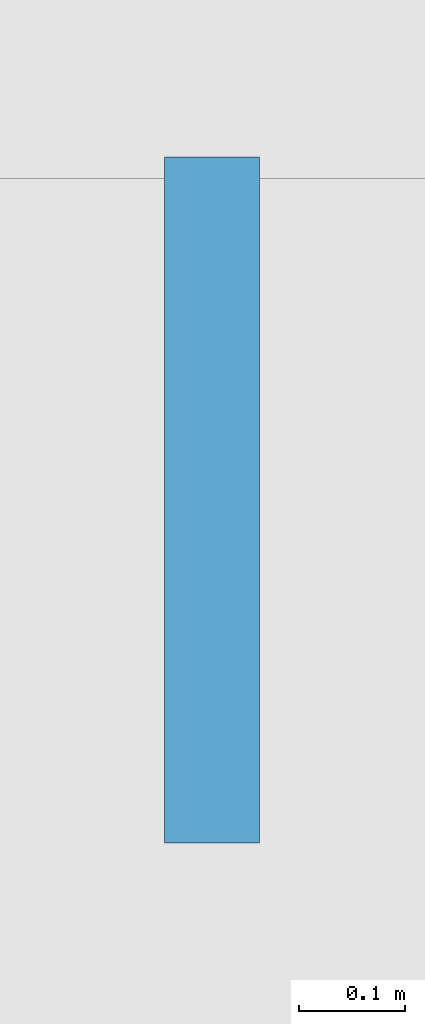
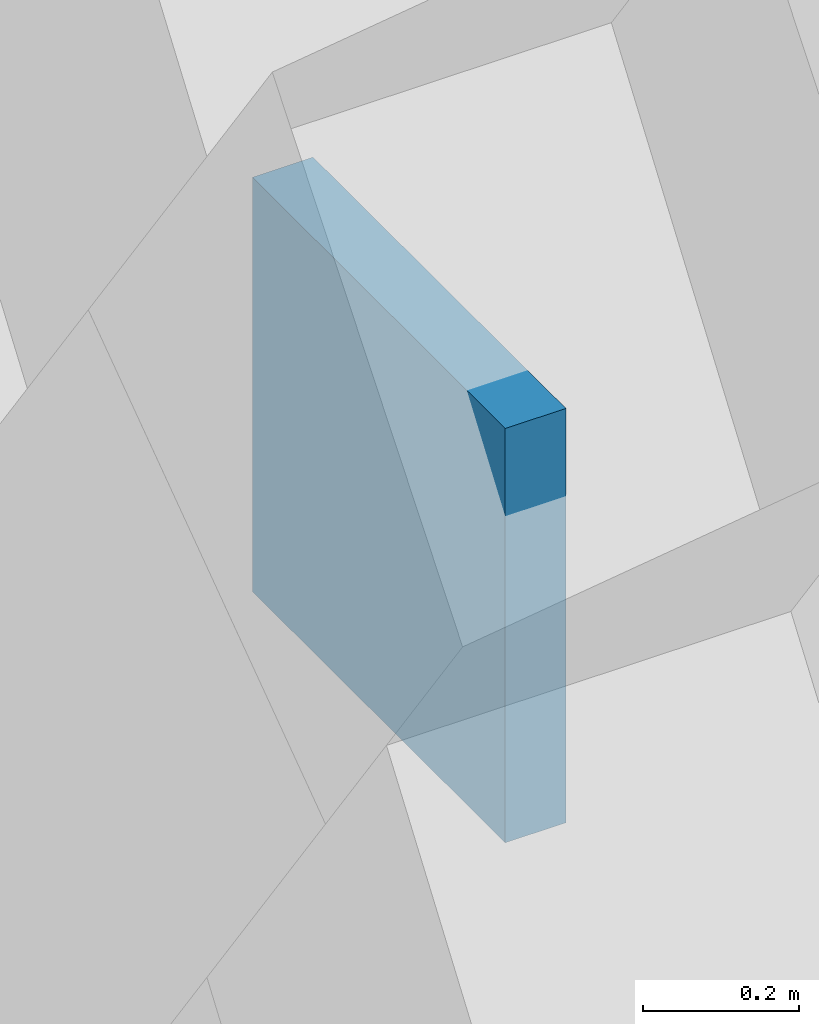
# One storey, part 55 of 79: 1 plate.
"""IFC4 building model written with IfcOpenShell, lengths in metres."""

from ifc_helpers import new_model, si_unit, direction, frame, origin, origin_2d, place, context, subcontext, project, spatial, rectangle, extrude, material, layer, layer_set, type_object, element, save


model = new_model("IFC4")

# Units and contexts
model_context = context("Model", 3, precision=1e-05, world=origin(), true_north=direction((0.0, 1.0)))
body_context = subcontext(model_context, "Body", "Model", "MODEL_VIEW")
ifc_project = project(units=[si_unit("LENGTHUNIT", "METRE"), si_unit("AREAUNIT", "SQUARE_METRE"), si_unit("VOLUMEUNIT", "CUBIC_METRE"), si_unit("PLANEANGLEUNIT", "RADIAN"), si_unit("MASSUNIT", "GRAM", prefix="KILO"), si_unit("THERMODYNAMICTEMPERATUREUNIT", "KELVIN"), si_unit("POWERUNIT", "WATT")], contexts=[model_context])

# Site, building, storey
site_placement = place(None, origin())
site = spatial("IfcSite", under=ifc_project, at=site_placement, CompositionType="ELEMENT")
building_placement = place(site_placement, origin())
building = spatial("IfcBuilding", under=site, at=building_placement, Name="Tembeka Court Mobility Hub", CompositionType="ELEMENT")
storey_placement = place(building_placement, frame((0.0, 0.0, 9.0)))
storey = spatial("IfcBuildingStorey", under=building, at=storey_placement, Name="L02", CompositionType="ELEMENT", Elevation=9.0)

# Plate
ifc_material = material(Name="Precast concrete C45/55", Category="concrete")
ifc_layer = layer(ifc_material, 0.090087890625)
ifc_layer_set = layer_set([ifc_layer], Name="Precast concrete C45/55")
plate_type = type_object("IfcPlateType", Name="PL-PC01", PredefinedType="SHEET", material=ifc_layer_set)
plate_placement = place(storey_placement, frame((-0.340087890625, 62.550048828125, 1.16015625), z_axis=(0.0, 0.0, 1.0), x_axis=(1.0, 0.0, 0.0)))
element("IfcPlate", 1, at=plate_placement, inside=storey, type_object=plate_type, Name="Precast diamond lattice node plate PCN01 (L02-306)", PredefinedType="SHEET", context=body_context, shape_type="SweptSolid", body=[
    extrude(rectangle(XDim=0.090087890625, YDim=0.64990234375, at=origin_2d()), origin(), (0.0, 0.0, 1.0), 0.64990234375),
])

save(model, "model.ifc")
